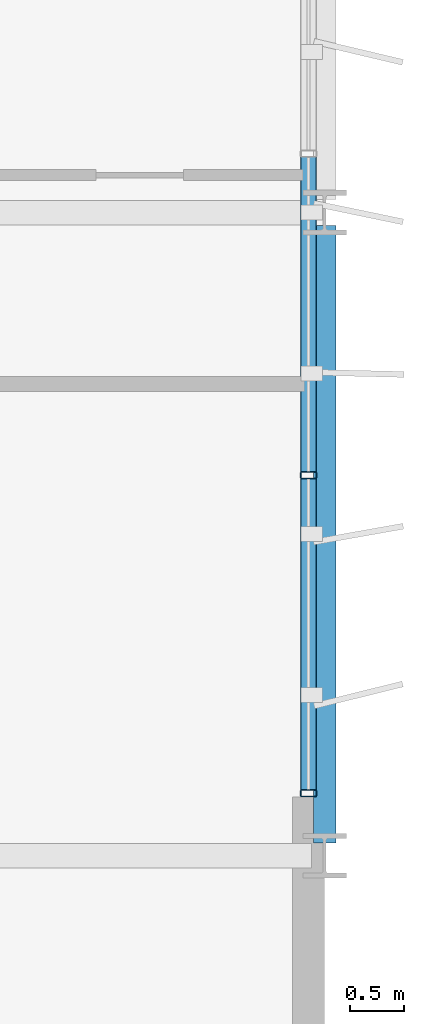
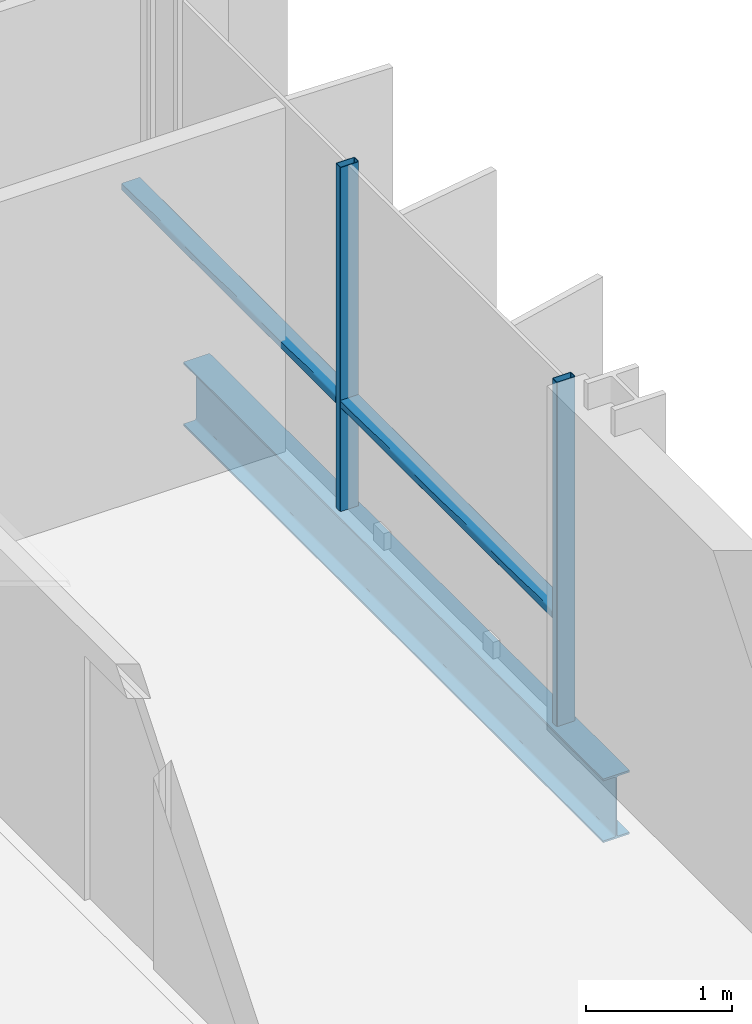
# One storey, part 17 of 40: 4 members, 1 beam, 1 element without a shape of its own.
"""IFC4 building model written with IfcOpenShell, lengths in metres."""

from ifc_helpers import new_model, si_unit, direction, frame, origin, origin_2d, place, context, subcontext, project, spatial, hollow_rectangle, i_section, extrude, material, layer, layer_set, material_profile, profile_set, type_object, element, aggregate, save


model = new_model("IFC4")

# Units and contexts
model_context = context("Model", 3, precision=1e-05, world=origin(), true_north=direction((0.0, 1.0)))
body_context = subcontext(model_context, "Body", "Model", "MODEL_VIEW")
ifc_project = project(units=[si_unit("LENGTHUNIT", "METRE"), si_unit("AREAUNIT", "SQUARE_METRE"), si_unit("VOLUMEUNIT", "CUBIC_METRE"), si_unit("PLANEANGLEUNIT", "RADIAN"), si_unit("MASSUNIT", "GRAM", prefix="KILO")], contexts=[model_context])

# Site, building, storey
site_placement = place(None, origin())
site = spatial("IfcSite", under=ifc_project, at=site_placement, CompositionType="ELEMENT")
building_placement = place(site_placement, origin())
building = spatial("IfcBuilding", under=site, at=building_placement, Name="Brevholm Reach", CompositionType="ELEMENT")
storey_placement = place(building_placement, frame((0.0, 0.0, 160.39990234375)))
storey = spatial("IfcBuildingStorey", under=building, at=storey_placement, Name="L48", CompositionType="ELEMENT", Elevation=160.39990234375)

# Beam
ifc_material_1 = material(Name="Structural Steel S355J2", Category="steel")
ifc_material_profile_1 = material_profile(ifc_material_1, i_section(OverallWidth=0.209228515625, OverallDepth=0.533203125, WebThickness=0.010009765625, FlangeThickness=0.015625, FilletRadius=0.0126953125, at=origin_2d()), Name="UKB 533x210x92")
ifc_profile_set_1 = profile_set([ifc_material_profile_1], Name="Structural Steel S355J2")
beam_type = type_object("IfcBeamType", Name="BM-SP533", PredefinedType="SPANDREL", material=ifc_profile_set_1)
beam_placement = place(storey_placement, frame((60.0, 10.1201171875, -0.486572265625), z_axis=(0.0, 1.0, 0.0), x_axis=(-1.0, 0.0, 0.0)))
element("IfcBeam", 1, at=beam_placement, inside=storey, type_object=beam_type, Name="L48 SP-02 Framing Beam", PredefinedType="SPANDREL", context=body_context, shape_type="SweptSolid", body=[
    extrude(i_section(OverallWidth=0.209228515625, OverallDepth=0.533203125, WebThickness=0.010009765625, FlangeThickness=0.015625, FilletRadius=0.0126953125, at=origin_2d()), origin(), (0.0, 0.0, 1.0), 5.759765625),
])

# Curtain wall, members
ifc_material_2 = material(Name="Dark Anodised Aluminium 6063-T6 and Solar-Control Glass", Category="aluminium")
ifc_layer = layer(ifc_material_2, 0.14990234375)
ifc_layer_set = layer_set([ifc_layer], Name="Dark Anodised Aluminium 6063-T6 and Solar-Control Glass")
curtain_wall_type = type_object("IfcCurtainWallType", Name="CW-01", PredefinedType="NOTDEFINED", material=ifc_layer_set)
curtain_wall_placement = place(storey_placement, origin())
curtain_wall = element("IfcCurtainWall", 2, at=curtain_wall_placement, inside=storey, type_object=curtain_wall_type, Name="L48 Curtain Wall CW-01", PredefinedType="NOTDEFINED")
ifc_material_3 = material(Name="Dark Anodised Aluminium 6063-T6", Category="aluminium")
ifc_material_profile_2 = material_profile(ifc_material_3, hollow_rectangle(XDim=0.06494140625, YDim=0.14990234375, WallThickness=0.0048828125, InnerFilletRadius=0.0048828125, OuterFilletRadius=0.010009765625, at=origin_2d()), Name="RHS 150x65x5")
ifc_profile_set_2 = profile_set([ifc_material_profile_2], Name="Dark Anodised Aluminium 6063-T6")
member_type_1 = type_object("IfcMemberType", Name="CWM-150", PredefinedType="MULLION", material=ifc_profile_set_2)
member_1_placement = place(storey_placement, frame((59.85009765625, 10.58251953125, 0.0), z_axis=(0.0, 0.0, 1.0), x_axis=(0.0, 1.0, 0.0)))
member_1 = element("IfcMember", 3, at=member_1_placement, type_object=member_type_1, Name="CM-150 Mullion 1", PredefinedType="MULLION", context=body_context, shape_type="SweptSolid", body=[
    extrude(hollow_rectangle(XDim=0.06494140625, YDim=0.14990234375, WallThickness=0.0048828125, InnerFilletRadius=0.0048828125, OuterFilletRadius=0.010009765625, at=origin_2d()), origin(), (0.0, 0.0, 1.0), 2.880126953125),
])
member_2_placement = place(storey_placement, frame((59.85009765625, 13.550048828125, 0.0), z_axis=(0.0, 0.0, 1.0), x_axis=(0.0, 1.0, 0.0)))
member_2 = element("IfcMember", 4, at=member_2_placement, type_object=member_type_1, Name="CM-150 Mullion 2", PredefinedType="MULLION", context=body_context, shape_type="SweptSolid", body=[
    extrude(hollow_rectangle(XDim=0.06494140625, YDim=0.14990234375, WallThickness=0.0048828125, InnerFilletRadius=0.0048828125, OuterFilletRadius=0.010009765625, at=origin_2d()), origin(), (0.0, 0.0, 1.0), 2.880126953125),
])
ifc_material_4 = material(Name="Dark Anodised Aluminium 6063-T6", Category="aluminium")
ifc_material_profile_3 = material_profile(ifc_material_4, hollow_rectangle(XDim=0.06494140625, YDim=0.14990234375, WallThickness=0.0048828125, InnerFilletRadius=0.0048828125, OuterFilletRadius=0.010009765625, at=origin_2d()), Name="RHS 150x65x5")
ifc_profile_set_3 = profile_set([ifc_material_profile_3], Name="Dark Anodised Aluminium 6063-T6")
member_type_2 = type_object("IfcMemberType", Name="CWT-150", PredefinedType="NOTDEFINED", material=ifc_profile_set_3)
member_3_placement = place(storey_placement, frame((59.85009765625, 10.614990234375, 0.900146484375), z_axis=(0.0, 1.0, 0.0), x_axis=(0.0, 0.0, 1.0)))
member_3 = element("IfcMember", 5, at=member_3_placement, type_object=member_type_2, Name="CT-150 Transom 1.1", ObjectType="TRANSOM", PredefinedType="USERDEFINED", context=body_context, shape_type="SweptSolid", body=[
    extrude(hollow_rectangle(XDim=0.06494140625, YDim=0.14990234375, WallThickness=0.0048828125, InnerFilletRadius=0.0048828125, OuterFilletRadius=0.010009765625, at=origin_2d()), origin(), (0.0, 0.0, 1.0), 2.902587890625),
])
member_4_placement = place(storey_placement, frame((59.85009765625, 13.58251953125, 0.900146484375), z_axis=(0.0, 1.0, 0.0), x_axis=(0.0, 0.0, 1.0)))
member_4 = element("IfcMember", 6, at=member_4_placement, type_object=member_type_2, Name="CT-150 Transom 2.1", ObjectType="TRANSOM", PredefinedType="USERDEFINED", context=body_context, shape_type="SweptSolid", body=[
    extrude(hollow_rectangle(XDim=0.06494140625, YDim=0.14990234375, WallThickness=0.0048828125, InnerFilletRadius=0.0048828125, OuterFilletRadius=0.010009765625, at=origin_2d()), origin(), (0.0, 0.0, 1.0), 2.93505859375),
])
aggregate(curtain_wall, [member_1, member_2, member_3, member_4])

save(model, "model.ifc")
